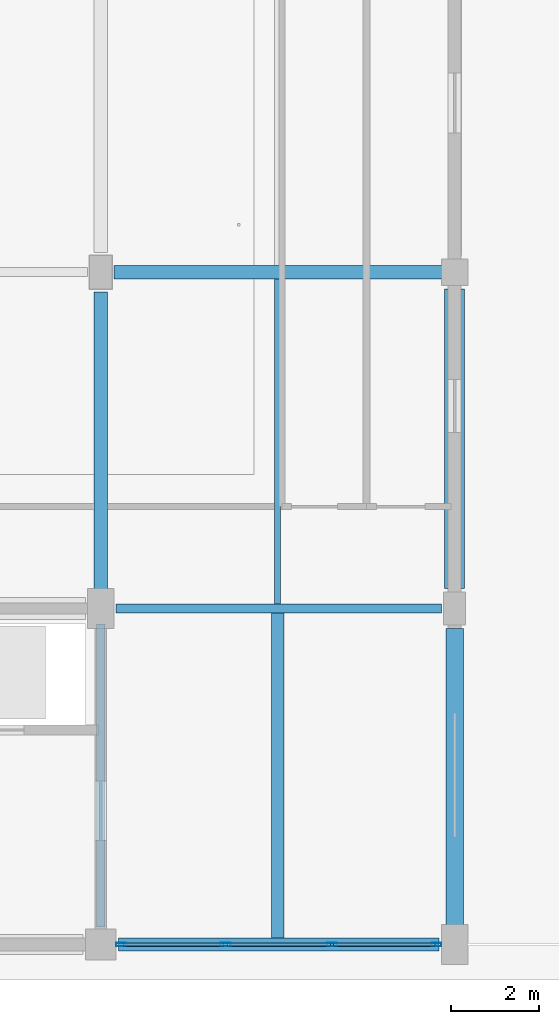
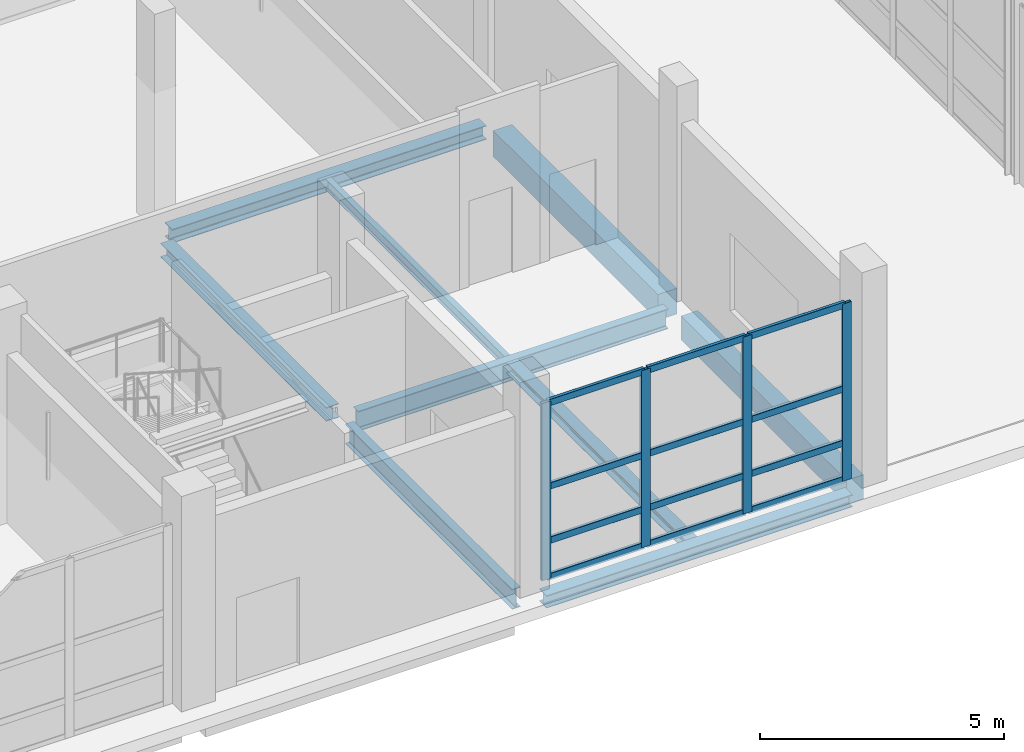
# One storey, part 29 of 126: 16 members, 9 beams, 1 element without a shape of its own.
"""IFC4 building model written with IfcOpenShell, lengths in metres."""

from ifc_helpers import new_model, si_unit, direction, frame, origin, origin_2d, place, context, subcontext, project, spatial, rectangle, hollow_rectangle, i_section, extrude, material, material_profile, profile_set, type_object, element, aggregate, save


model = new_model("IFC4")

# Units and contexts
model_context = context("Model", 3, precision=1e-05, world=origin(), true_north=direction((0.0, 1.0)))
body_context = subcontext(model_context, "Body", "Model", "MODEL_VIEW")
ifc_project = project(units=[si_unit("LENGTHUNIT", "METRE"), si_unit("AREAUNIT", "SQUARE_METRE"), si_unit("VOLUMEUNIT", "CUBIC_METRE"), si_unit("PLANEANGLEUNIT", "RADIAN"), si_unit("MASSUNIT", "GRAM", prefix="KILO")], contexts=[model_context])

# Site, building, storey
site_placement = place(None, origin())
site = spatial("IfcSite", under=ifc_project, at=site_placement, CompositionType="ELEMENT")
building_placement = place(site_placement, origin())
building = spatial("IfcBuilding", under=site, at=building_placement, Name="Khelvaren Railside Concert Hall", CompositionType="ELEMENT")
storey_placement = place(building_placement, origin())
storey = spatial("IfcBuildingStorey", under=building, at=storey_placement, Name="L00", CompositionType="ELEMENT", Elevation=0.0)

# Beams
ifc_material_1 = material(Name="Steel S355", Category="steel")
ifc_material_profile_1 = material_profile(ifc_material_1, i_section(OverallWidth=0.199951171875, OverallDepth=0.5, WebThickness=0.01025390625, FlangeThickness=0.01611328125, FilletRadius=0.02099609375, at=origin_2d()), Name="IPE 500")
ifc_profile_set_1 = profile_set([ifc_material_profile_1], Name="Steel S355")
beam_type_1 = type_object("IfcBeamType", Name="BM62", PredefinedType="BEAM", material=ifc_profile_set_1)
beam_1_placement = place(storey_placement, frame((128.35009765625, 7.60009765625, -0.570068359375), z_axis=(1.0, 0.0, 0.0), x_axis=(0.0, 1.0, 0.0)))
element("IfcBeam", 1, at=beam_1_placement, inside=storey, type_object=beam_type_1, Name="V3 L00 Beam X2.9", PredefinedType="BEAM", context=body_context, shape_type="SweptSolid", body=[
    extrude(i_section(OverallWidth=0.199951171875, OverallDepth=0.5, WebThickness=0.01025390625, FlangeThickness=0.01611328125, FilletRadius=0.02099609375, at=origin_2d()), origin(), (0.0, 0.0, 1.0), 7.349853515625),
])
beam_2_placement = place(storey_placement, frame((128.0, 0.39990234375, -0.570068359375), z_axis=(0.0, 1.0, 0.0), x_axis=(-1.0, 0.0, 0.0)))
element("IfcBeam", 2, at=beam_2_placement, inside=storey, type_object=beam_type_1, Name="V3 L00 Beam Y9.1", PredefinedType="BEAM", context=body_context, shape_type="SweptSolid", body=[
    extrude(i_section(OverallWidth=0.199951171875, OverallDepth=0.5, WebThickness=0.01025390625, FlangeThickness=0.01611328125, FilletRadius=0.02099609375, at=origin_2d()), origin(), (0.0, 0.0, 1.0), 6.85009765625),
])
ifc_material_profile_2 = material_profile(ifc_material_1, i_section(OverallWidth=0.300048828125, OverallDepth=0.35009765625, WebThickness=0.010009765625, FlangeThickness=0.017578125, FilletRadius=0.027099609375, at=origin_2d()), Name="HEA 360")
ifc_profile_set_2 = profile_set([ifc_material_profile_2], Name="Steel S355")
beam_type_2 = type_object("IfcBeamType", Name="BM73", PredefinedType="BEAM", material=ifc_profile_set_2)
beam_3_placement = place(storey_placement, frame((128.300048828125, 15.199951171875, -0.4951171875), z_axis=(1.0, 0.0, 0.0), x_axis=(0.0, 1.0, 0.0)))
element("IfcBeam", 3, at=beam_3_placement, inside=storey, type_object=beam_type_2, Name="V3 L00 Beam X3.9", PredefinedType="BEAM", context=body_context, shape_type="SweptSolid", body=[
    extrude(i_section(OverallWidth=0.300048828125, OverallDepth=0.35009765625, WebThickness=0.010009765625, FlangeThickness=0.017578125, FilletRadius=0.027099609375, at=origin_2d()), origin(), (0.0, 0.0, 1.0), 7.449951171875),
])
beam_4_placement = place(storey_placement, frame((128.0, 7.949951171875, -0.4951171875), z_axis=(0.0, 1.0, 0.0), x_axis=(-1.0, 0.0, 0.0)))
element("IfcBeam", 4, at=beam_4_placement, inside=storey, type_object=beam_type_2, Name="V3 L00 Beam Y9.2", PredefinedType="BEAM", context=body_context, shape_type="SweptSolid", body=[
    extrude(i_section(OverallWidth=0.300048828125, OverallDepth=0.35009765625, WebThickness=0.010009765625, FlangeThickness=0.017578125, FilletRadius=0.027099609375, at=origin_2d()), origin(), (0.0, 0.0, 1.0), 6.800048828125),
])

# Curtain wall, members
ifc_material_2 = material(Name="Triple-glazed solar-control glass", Category="glass")
curtain_wall_type = type_object("IfcCurtainWallType", Name="CW41", PredefinedType="USERDEFINED", material=ifc_material_2)
curtain_wall_placement = place(storey_placement, origin())
curtain_wall = element("IfcCurtainWall", 5, at=curtain_wall_placement, inside=storey, type_object=curtain_wall_type, Name="Unitised Curtain Wall CW-V3-L00-S-128", ObjectType="UNITISED CURTAIN WALL", PredefinedType="USERDEFINED")
ifc_material_3 = material(Name="Anodised architectural aluminium 6063-T6", Category="aluminium")
ifc_material_profile_3 = material_profile(ifc_material_3, hollow_rectangle(XDim=0.074951171875, YDim=0.219970703125, WallThickness=0.0048828125, InnerFilletRadius=0.0029296875, OuterFilletRadius=0.0048828125, at=origin_2d()), Name="CWM 75x220x5")
ifc_profile_set_3 = profile_set([ifc_material_profile_3], Name="Anodised architectural aluminium 6063-T6")
member_type_1 = type_object("IfcMemberType", Name="CWM13", PredefinedType="MULLION", material=ifc_profile_set_3)
member_1_placement = place(storey_placement, frame((135.590087890625, 0.0, 0.0), z_axis=(0.0, 0.0, 1.0), x_axis=(0.0, -1.0, 0.0)))
member_1 = element("IfcMember", 6, at=member_1_placement, type_object=member_type_1, Name="CW41 mullion 1", PredefinedType="MULLION", context=body_context, shape_type="SweptSolid", body=[
    extrude(hollow_rectangle(XDim=0.074951171875, YDim=0.219970703125, WallThickness=0.0048828125, InnerFilletRadius=0.0029296875, OuterFilletRadius=0.0048828125, at=origin_2d()), origin(), (0.0, 0.0, 1.0), 4.43994140625),
])
member_2_placement = place(storey_placement, frame((133.225830078125, 0.0, 0.0), z_axis=(0.0, 0.0, 1.0), x_axis=(0.0, -1.0, 0.0)))
member_2 = element("IfcMember", 7, at=member_2_placement, type_object=member_type_1, Name="CW41 mullion 2", PredefinedType="MULLION", context=body_context, shape_type="SweptSolid", body=[
    extrude(hollow_rectangle(XDim=0.074951171875, YDim=0.219970703125, WallThickness=0.0048828125, InnerFilletRadius=0.0029296875, OuterFilletRadius=0.0048828125, at=origin_2d()), origin(), (0.0, 0.0, 1.0), 4.43994140625),
])
member_3_placement = place(storey_placement, frame((130.82421875, 0.0, 0.0), z_axis=(0.0, 0.0, 1.0), x_axis=(0.0, -1.0, 0.0)))
member_3 = element("IfcMember", 8, at=member_3_placement, type_object=member_type_1, Name="CW41 mullion 3", PredefinedType="MULLION", context=body_context, shape_type="SweptSolid", body=[
    extrude(hollow_rectangle(XDim=0.074951171875, YDim=0.219970703125, WallThickness=0.0048828125, InnerFilletRadius=0.0029296875, OuterFilletRadius=0.0048828125, at=origin_2d()), origin(), (0.0, 0.0, 1.0), 4.43994140625),
])
member_4_placement = place(storey_placement, frame((128.4599609375, 0.0, 0.0), z_axis=(0.0, 0.0, 1.0), x_axis=(0.0, -1.0, 0.0)))
member_4 = element("IfcMember", 9, at=member_4_placement, type_object=member_type_1, Name="CW41 mullion 4", PredefinedType="MULLION", context=body_context, shape_type="SweptSolid", body=[
    extrude(hollow_rectangle(XDim=0.074951171875, YDim=0.219970703125, WallThickness=0.0048828125, InnerFilletRadius=0.0029296875, OuterFilletRadius=0.0048828125, at=origin_2d()), origin(), (0.0, 0.0, 1.0), 4.43994140625),
])
ifc_material_profile_4 = material_profile(ifc_material_3, hollow_rectangle(XDim=0.074951171875, YDim=0.1650390625, WallThickness=0.00390625, InnerFilletRadius=0.001953125, OuterFilletRadius=0.00390625, at=origin_2d()), Name="CWT 75x165x4")
ifc_profile_set_4 = profile_set([ifc_material_profile_4], Name="Anodised architectural aluminium 6063-T6")
member_type_2 = type_object("IfcMemberType", Name="CWT46", PredefinedType="USERDEFINED", material=ifc_profile_set_4)
member_5_placement = place(storey_placement, frame((135.552490234375, 0.0, 0.03759765625), z_axis=(-1.0, 0.0, 0.0), x_axis=(0.0, -1.0, 0.0)))
member_5 = element("IfcMember", 10, at=member_5_placement, type_object=member_type_2, Name="CW41 transom 1.1", ObjectType="TRANSOM", PredefinedType="USERDEFINED", context=body_context, shape_type="SweptSolid", body=[
    extrude(hollow_rectangle(XDim=0.074951171875, YDim=0.1650390625, WallThickness=0.00390625, InnerFilletRadius=0.001953125, OuterFilletRadius=0.00390625, at=origin_2d()), origin(), (0.0, 0.0, 1.0), 2.2890625),
])
member_6_placement = place(storey_placement, frame((135.552490234375, 0.0, 0.949951171875), z_axis=(-1.0, 0.0, 0.0), x_axis=(0.0, -1.0, 0.0)))
member_6 = element("IfcMember", 11, at=member_6_placement, type_object=member_type_2, Name="CW41 transom 1.2", ObjectType="TRANSOM", PredefinedType="USERDEFINED", context=body_context, shape_type="SweptSolid", body=[
    extrude(hollow_rectangle(XDim=0.074951171875, YDim=0.1650390625, WallThickness=0.00390625, InnerFilletRadius=0.001953125, OuterFilletRadius=0.00390625, at=origin_2d()), origin(), (0.0, 0.0, 1.0), 2.2890625),
])
member_7_placement = place(storey_placement, frame((135.552490234375, 0.0, 2.308837890625), z_axis=(-1.0, 0.0, 0.0), x_axis=(0.0, -1.0, 0.0)))
member_7 = element("IfcMember", 12, at=member_7_placement, type_object=member_type_2, Name="CW41 transom 1.3", ObjectType="TRANSOM", PredefinedType="USERDEFINED", context=body_context, shape_type="SweptSolid", body=[
    extrude(hollow_rectangle(XDim=0.074951171875, YDim=0.1650390625, WallThickness=0.00390625, InnerFilletRadius=0.001953125, OuterFilletRadius=0.00390625, at=origin_2d()), origin(), (0.0, 0.0, 1.0), 2.2890625),
])
member_8_placement = place(storey_placement, frame((135.552490234375, 0.0, 4.402587890625), z_axis=(-1.0, 0.0, 0.0), x_axis=(0.0, -1.0, 0.0)))
member_8 = element("IfcMember", 13, at=member_8_placement, type_object=member_type_2, Name="CW41 transom 1.4", ObjectType="TRANSOM", PredefinedType="USERDEFINED", context=body_context, shape_type="SweptSolid", body=[
    extrude(hollow_rectangle(XDim=0.074951171875, YDim=0.1650390625, WallThickness=0.00390625, InnerFilletRadius=0.001953125, OuterFilletRadius=0.00390625, at=origin_2d()), origin(), (0.0, 0.0, 1.0), 2.2890625),
])
member_9_placement = place(storey_placement, frame((133.188232421875, 0.0, 0.03759765625), z_axis=(-1.0, 0.0, 0.0), x_axis=(0.0, -1.0, 0.0)))
member_9 = element("IfcMember", 14, at=member_9_placement, type_object=member_type_2, Name="CW41 transom 2.1", ObjectType="TRANSOM", PredefinedType="USERDEFINED", context=body_context, shape_type="SweptSolid", body=[
    extrude(hollow_rectangle(XDim=0.074951171875, YDim=0.1650390625, WallThickness=0.00390625, InnerFilletRadius=0.001953125, OuterFilletRadius=0.00390625, at=origin_2d()), origin(), (0.0, 0.0, 1.0), 2.32666015625),
])
member_10_placement = place(storey_placement, frame((133.188232421875, 0.0, 0.949951171875), z_axis=(-1.0, 0.0, 0.0), x_axis=(0.0, -1.0, 0.0)))
member_10 = element("IfcMember", 15, at=member_10_placement, type_object=member_type_2, Name="CW41 transom 2.2", ObjectType="TRANSOM", PredefinedType="USERDEFINED", context=body_context, shape_type="SweptSolid", body=[
    extrude(hollow_rectangle(XDim=0.074951171875, YDim=0.1650390625, WallThickness=0.00390625, InnerFilletRadius=0.001953125, OuterFilletRadius=0.00390625, at=origin_2d()), origin(), (0.0, 0.0, 1.0), 2.32666015625),
])
member_11_placement = place(storey_placement, frame((133.188232421875, 0.0, 2.308837890625), z_axis=(-1.0, 0.0, 0.0), x_axis=(0.0, -1.0, 0.0)))
member_11 = element("IfcMember", 16, at=member_11_placement, type_object=member_type_2, Name="CW41 transom 2.3", ObjectType="TRANSOM", PredefinedType="USERDEFINED", context=body_context, shape_type="SweptSolid", body=[
    extrude(hollow_rectangle(XDim=0.074951171875, YDim=0.1650390625, WallThickness=0.00390625, InnerFilletRadius=0.001953125, OuterFilletRadius=0.00390625, at=origin_2d()), origin(), (0.0, 0.0, 1.0), 2.32666015625),
])
member_12_placement = place(storey_placement, frame((133.188232421875, 0.0, 4.402587890625), z_axis=(-1.0, 0.0, 0.0), x_axis=(0.0, -1.0, 0.0)))
member_12 = element("IfcMember", 17, at=member_12_placement, type_object=member_type_2, Name="CW41 transom 2.4", ObjectType="TRANSOM", PredefinedType="USERDEFINED", context=body_context, shape_type="SweptSolid", body=[
    extrude(hollow_rectangle(XDim=0.074951171875, YDim=0.1650390625, WallThickness=0.00390625, InnerFilletRadius=0.001953125, OuterFilletRadius=0.00390625, at=origin_2d()), origin(), (0.0, 0.0, 1.0), 2.32666015625),
])
member_13_placement = place(storey_placement, frame((130.78662109375, 0.0, 0.03759765625), z_axis=(-1.0, 0.0, 0.0), x_axis=(0.0, -1.0, 0.0)))
member_13 = element("IfcMember", 18, at=member_13_placement, type_object=member_type_2, Name="CW41 transom 3.1", ObjectType="TRANSOM", PredefinedType="USERDEFINED", context=body_context, shape_type="SweptSolid", body=[
    extrude(hollow_rectangle(XDim=0.074951171875, YDim=0.1650390625, WallThickness=0.00390625, InnerFilletRadius=0.001953125, OuterFilletRadius=0.00390625, at=origin_2d()), origin(), (0.0, 0.0, 1.0), 2.2890625),
])
member_14_placement = place(storey_placement, frame((130.78662109375, 0.0, 0.949951171875), z_axis=(-1.0, 0.0, 0.0), x_axis=(0.0, -1.0, 0.0)))
member_14 = element("IfcMember", 19, at=member_14_placement, type_object=member_type_2, Name="CW41 transom 3.2", ObjectType="TRANSOM", PredefinedType="USERDEFINED", context=body_context, shape_type="SweptSolid", body=[
    extrude(hollow_rectangle(XDim=0.074951171875, YDim=0.1650390625, WallThickness=0.00390625, InnerFilletRadius=0.001953125, OuterFilletRadius=0.00390625, at=origin_2d()), origin(), (0.0, 0.0, 1.0), 2.2890625),
])
member_15_placement = place(storey_placement, frame((130.78662109375, 0.0, 2.308837890625), z_axis=(-1.0, 0.0, 0.0), x_axis=(0.0, -1.0, 0.0)))
member_15 = element("IfcMember", 20, at=member_15_placement, type_object=member_type_2, Name="CW41 transom 3.3", ObjectType="TRANSOM", PredefinedType="USERDEFINED", context=body_context, shape_type="SweptSolid", body=[
    extrude(hollow_rectangle(XDim=0.074951171875, YDim=0.1650390625, WallThickness=0.00390625, InnerFilletRadius=0.001953125, OuterFilletRadius=0.00390625, at=origin_2d()), origin(), (0.0, 0.0, 1.0), 2.2890625),
])
member_16_placement = place(storey_placement, frame((130.78662109375, 0.0, 4.402587890625), z_axis=(-1.0, 0.0, 0.0), x_axis=(0.0, -1.0, 0.0)))
member_16 = element("IfcMember", 21, at=member_16_placement, type_object=member_type_2, Name="CW41 transom 3.4", ObjectType="TRANSOM", PredefinedType="USERDEFINED", context=body_context, shape_type="SweptSolid", body=[
    extrude(hollow_rectangle(XDim=0.074951171875, YDim=0.1650390625, WallThickness=0.00390625, InnerFilletRadius=0.001953125, OuterFilletRadius=0.00390625, at=origin_2d()), origin(), (0.0, 0.0, 1.0), 2.2890625),
])
aggregate(curtain_wall, [member_1, member_2, member_3, member_4, member_5, member_6, member_7, member_8, member_9, member_10, member_11, member_12, member_13, member_14, member_15, member_16])

# Beams
ifc_material_profile_5 = material_profile(ifc_material_1, i_section(OverallWidth=0.280029296875, OverallDepth=0.27001953125, WebThickness=0.008056640625, FlangeThickness=0.012939453125, FilletRadius=0.02392578125, at=origin_2d()), Name="HEA 280")
ifc_profile_set_5 = profile_set([ifc_material_profile_5], Name="Steel S355")
beam_type_3 = type_object("IfcBeamType", Name="JS46", PredefinedType="JOIST", material=ifc_profile_set_5)
beam_5_placement = place(storey_placement, frame((132.0, 0.14990234375, -0.455078125), z_axis=(0.0, 1.0, 0.0), x_axis=(-1.0, 0.0, 0.0)))
element("IfcBeam", 22, at=beam_5_placement, inside=storey, type_object=beam_type_3, Name="V3 L00 Secondary Joist 9.1", PredefinedType="JOIST", context=body_context, shape_type="SweptSolid", body=[
    extrude(i_section(OverallWidth=0.280029296875, OverallDepth=0.27001953125, WebThickness=0.008056640625, FlangeThickness=0.012939453125, FilletRadius=0.02392578125, at=origin_2d()), origin(), (0.0, 0.0, 1.0), 7.35009765625),
])
ifc_material_profile_6 = material_profile(ifc_material_1, i_section(OverallWidth=0.135009765625, OverallDepth=0.27001953125, WebThickness=0.006591796875, FlangeThickness=0.01025390625, FilletRadius=0.014892578125, at=origin_2d()), Name="IPE 270")
ifc_profile_set_6 = profile_set([ifc_material_profile_6], Name="Steel S355")
beam_type_4 = type_object("IfcBeamType", Name="JS78", PredefinedType="JOIST", material=ifc_profile_set_6)
beam_6_placement = place(storey_placement, frame((132.0, 7.699951171875, -0.455078125), z_axis=(0.0, 1.0, 0.0), x_axis=(-1.0, 0.0, 0.0)))
element("IfcBeam", 23, at=beam_6_placement, inside=storey, type_object=beam_type_4, Name="V3 L00 Secondary Joist 9.2", PredefinedType="JOIST", context=body_context, shape_type="SweptSolid", body=[
    extrude(i_section(OverallWidth=0.135009765625, OverallDepth=0.27001953125, WebThickness=0.006591796875, FlangeThickness=0.01025390625, FilletRadius=0.014892578125, at=origin_2d()), origin(), (0.0, 0.0, 1.0), 7.35009765625),
])
ifc_material_4 = material(Name="Concrete C40/50", Category="concrete")
ifc_material_profile_7 = material_profile(ifc_material_4, rectangle(XDim=0.449951171875, YDim=0.64990234375, at=origin_2d()), Name="RCB 450x650")
ifc_profile_set_7 = profile_set([ifc_material_profile_7], Name="Concrete C40/50")
beam_type_5 = type_object("IfcBeamType", Name="SP34", PredefinedType="SPANDREL", material=ifc_profile_set_7)
beam_7_placement = place(storey_placement, frame((136.0, 8.050048828125, -0.64501953125), z_axis=(0.0, 1.0, 0.0), x_axis=(-1.0, 0.0, 0.0)))
element("IfcBeam", 24, at=beam_7_placement, inside=storey, type_object=beam_type_5, Name="V3 L00 Spandrel Y10.2", PredefinedType="SPANDREL", context=body_context, shape_type="SweptSolid", body=[
    extrude(rectangle(XDim=0.449951171875, YDim=0.64990234375, at=origin_2d()), origin(), (0.0, 0.0, 1.0), 6.77490234375),
])
ifc_material_profile_8 = material_profile(ifc_material_1, i_section(OverallWidth=0.300048828125, OverallDepth=0.31005859375, WebThickness=0.009033203125, FlangeThickness=0.015380859375, FilletRadius=0.027099609375, at=origin_2d()), Name="HEA 320")
ifc_profile_set_8 = profile_set([ifc_material_profile_8], Name="Steel S355")
beam_type_6 = type_object("IfcBeamType", Name="SP66", PredefinedType="SPANDREL", material=ifc_profile_set_8)
beam_8_placement = place(storey_placement, frame((128.39990234375, 0.0, -0.47509765625), z_axis=(1.0, 0.0, 0.0), x_axis=(0.0, 1.0, 0.0)))
element("IfcBeam", 25, at=beam_8_placement, inside=storey, type_object=beam_type_6, Name="V3 L00 Spandrel X1.9", PredefinedType="SPANDREL", context=body_context, shape_type="SweptSolid", body=[
    extrude(i_section(OverallWidth=0.300048828125, OverallDepth=0.31005859375, WebThickness=0.009033203125, FlangeThickness=0.015380859375, FilletRadius=0.027099609375, at=origin_2d()), origin(), (0.0, 0.0, 1.0), 7.25),
])
ifc_material_profile_9 = material_profile(ifc_material_4, rectangle(XDim=0.39990234375, YDim=0.60009765625, at=origin_2d()), Name="RCB 400x600")
ifc_profile_set_9 = profile_set([ifc_material_profile_9], Name="Concrete C40/50")
beam_type_7 = type_object("IfcBeamType", Name="SP75", PredefinedType="SPANDREL", material=ifc_profile_set_9)
beam_9_placement = place(storey_placement, frame((136.0, 0.35009765625, -0.6201171875), z_axis=(0.0, 1.0, 0.0), x_axis=(-1.0, 0.0, 0.0)))
element("IfcBeam", 26, at=beam_9_placement, inside=storey, type_object=beam_type_7, Name="V3 L00 Spandrel Y10.1", PredefinedType="SPANDREL", context=body_context, shape_type="SweptSolid", body=[
    extrude(rectangle(XDim=0.39990234375, YDim=0.60009765625, at=origin_2d()), origin(), (0.0, 0.0, 1.0), 6.7998046875),
])

save(model, "model.ifc")
